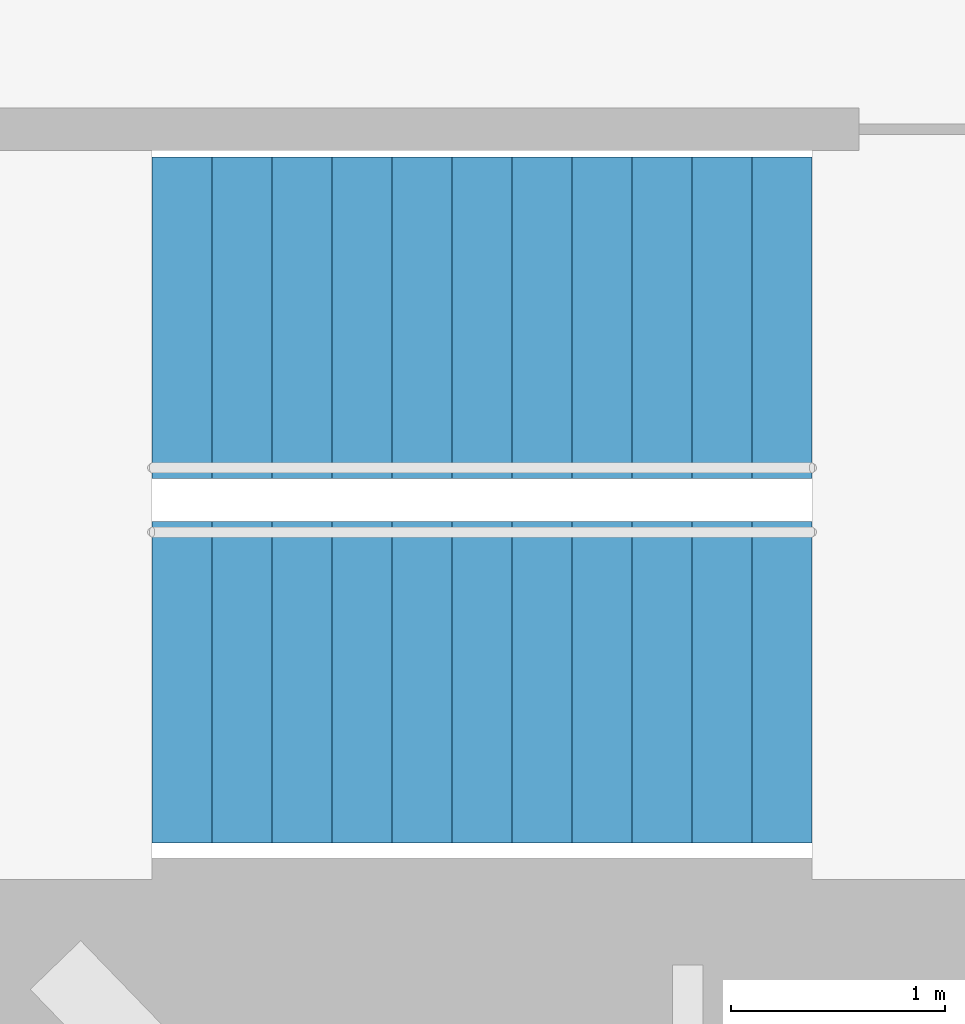
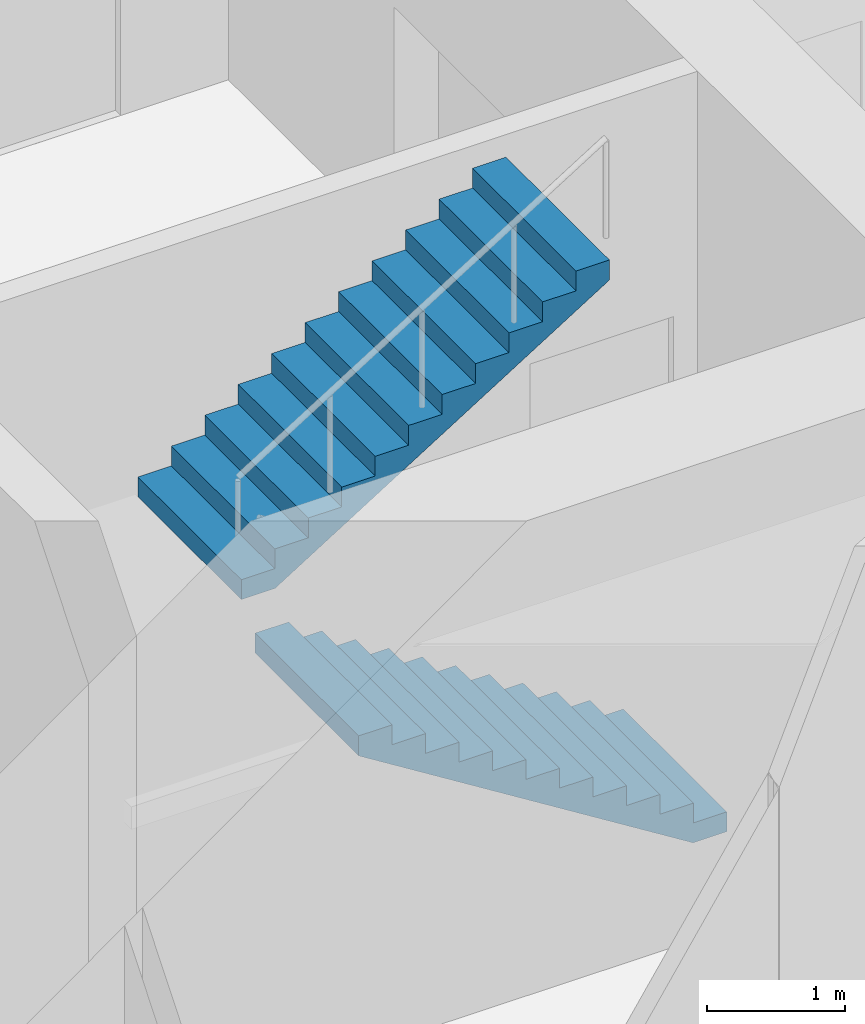
# One storey, part 18 of 19: 2 stair flights, 1 element without a shape of its own.
"""IFC4 building model written with IfcOpenShell, lengths in metres."""

from ifc_helpers import new_model, si_unit, direction, frame, origin, place, context, subcontext, project, spatial, triangles, material, type_object, element, aggregate, save


model = new_model("IFC4")

# Units and contexts
model_context = context("Model", 3, precision=1e-05, world=origin(), true_north=direction((0.0, 1.0)))
body_context = subcontext(model_context, "Body", "Model", "MODEL_VIEW")
ifc_project = project(units=[si_unit("LENGTHUNIT", "METRE"), si_unit("AREAUNIT", "SQUARE_METRE"), si_unit("VOLUMEUNIT", "CUBIC_METRE"), si_unit("PLANEANGLEUNIT", "RADIAN"), si_unit("MASSUNIT", "GRAM", prefix="KILO")], contexts=[model_context])

# Site, building, storey
site_placement = place(None, origin())
site = spatial("IfcSite", under=ifc_project, at=site_placement, CompositionType="ELEMENT")
building_placement = place(site_placement, origin())
building = spatial("IfcBuilding", under=site, at=building_placement, Name="Lantaw Convention Tower", CompositionType="ELEMENT")
storey_placement = place(building_placement, frame((0.0, 0.0, 245.199951171875)))
storey = spatial("IfcBuildingStorey", under=building, at=storey_placement, Name="L57", CompositionType="ELEMENT", Elevation=245.199951171875)

# Stair, stair flights
ifc_material = material(Name="Concrete C35/45", Category="concrete")
stair_type = type_object("IfcStairType", Name="Exit stair 1500 riser 175 in 2 flights", PredefinedType="HALF_TURN_STAIR", material=ifc_material)
stair_placement = place(storey_placement, origin())
stair = element("IfcStair", 1, at=stair_placement, inside=storey, type_object=stair_type, Name="Exit stair S2 L57", PredefinedType="HALF_TURN_STAIR")
stair_flight_type = type_object("IfcStairFlightType", Name="Stair flight 1500 riser 175", PredefinedType="STRAIGHT", material=ifc_material)
stair_flight_1_placement = place(storey_placement, frame((10.580078125, -5.97998046875, 0.0), z_axis=(0.0, 0.0, 1.0), x_axis=(-1.0, 0.0, 0.0)))
stair_flight_1 = element("IfcStairFlight", 2, at=stair_flight_1_placement, type_object=stair_flight_type, Name="S2 flight 1", NumberOfRisers=12, NumberOfTreads=11, PredefinedType="STRAIGHT", RiserHeight=0.175, TreadLength=0.28, context=body_context, shape_type="Tessellation", body=[
    triangles([(0.0, 0.75, 0.0), (0.0, 0.75, 0.175), (0.28, 0.75, 0.0), (0.28, 0.75, 0.175), (0.28, 0.75, 0.35), (0.28283517651771284, 0.75, 0.0), (0.28283517651771284, 0.75, 0.35), (0.56, 0.75, 0.17322801467642948), (0.56, 0.75, 0.35), (0.56, 0.75, 0.5249999999999999), (0.8400000000000001, 0.75, 0.34822801467642944), (0.8400000000000001, 0.75, 0.5249999999999999), (0.8400000000000001, 0.75, 0.7), (1.12, 0.75, 0.5232280146764294), (1.12, 0.75, 0.7), (1.12, 0.75, 0.875), (1.4000000000000001, 0.75, 0.6982280146764295), (1.4000000000000001, 0.75, 0.875), (1.4000000000000001, 0.75, 1.0499999999999998), (1.6800000000000002, 0.75, 0.8732280146764294), (1.6800000000000002, 0.75, 1.0499999999999998), (1.6800000000000002, 0.75, 1.2249999999999999), (1.9600000000000002, 0.75, 1.0482280146764293), (1.9600000000000002, 0.75, 1.2249999999999999), (1.9600000000000002, 0.75, 1.4), (2.24, 0.75, 1.2232280146764294), (2.24, 0.75, 1.4), (2.24, 0.75, 1.575), (2.5200000000000005, 0.75, 1.3982280146764294), (2.5200000000000005, 0.75, 1.575), (2.5200000000000005, 0.75, 1.75), (2.8000000000000003, 0.75, 1.5732280146764293), (2.8000000000000003, 0.75, 1.75), (2.8000000000000003, 0.75, 1.9249999999999998), (3.08, 0.75, 1.7482280146764293), (3.08, 0.75, 1.9249999999999998), (0.0, -0.75, 0.0), (0.0, -0.75, 0.175), (0.28, -0.75, 0.0), (0.28, -0.75, 0.175), (0.28, -0.75, 0.35), (0.28283517651771284, -0.75, 0.0), (0.28283517651771284, -0.75, 0.35), (0.56, -0.75, 0.17322801467642948), (0.56, -0.75, 0.35), (0.56, -0.75, 0.5249999999999999), (0.8400000000000001, -0.75, 0.34822801467642944), (0.8400000000000001, -0.75, 0.5249999999999999), (0.8400000000000001, -0.75, 0.7), (1.12, -0.75, 0.5232280146764294), (1.12, -0.75, 0.7), (1.12, -0.75, 0.875), (1.4000000000000001, -0.75, 0.6982280146764295), (1.4000000000000001, -0.75, 0.875), (1.4000000000000001, -0.75, 1.0499999999999998), (1.6800000000000002, -0.75, 0.8732280146764294), (1.6800000000000002, -0.75, 1.0499999999999998), (1.6800000000000002, -0.75, 1.2249999999999999), (1.9600000000000002, -0.75, 1.0482280146764293), (1.9600000000000002, -0.75, 1.2249999999999999), (1.9600000000000002, -0.75, 1.4), (2.24, -0.75, 1.2232280146764294), (2.24, -0.75, 1.4), (2.24, -0.75, 1.575), (2.5200000000000005, -0.75, 1.3982280146764294), (2.5200000000000005, -0.75, 1.575), (2.5200000000000005, -0.75, 1.75), (2.8000000000000003, -0.75, 1.5732280146764293), (2.8000000000000003, -0.75, 1.75), (2.8000000000000003, -0.75, 1.9249999999999998), (3.08, -0.75, 1.7482280146764293), (3.08, -0.75, 1.9249999999999998), (0.0, 0.15000000000000002, 0.175), (0.0, 0.15000000000000002, 0.0), (0.0, 0.0, 0.175), (0.0, 0.0, 0.0), (0.0, -0.15000000000000002, 0.175), (0.0, -0.15000000000000002, 0.0), (0.28, 0.15000000000000002, 0.35), (0.28, 0.15000000000000002, 0.175), (0.28, 0.0, 0.35), (0.28, 0.0, 0.175), (0.28, -0.15000000000000002, 0.35), (0.28, -0.15000000000000002, 0.175), (0.56, 0.15000000000000002, 0.5249999999999999), (0.56, 0.15000000000000002, 0.35), (0.56, 0.0, 0.5249999999999999), (0.56, 0.0, 0.35), (0.56, -0.15000000000000002, 0.5249999999999999), (0.56, -0.15000000000000002, 0.35), (0.8400000000000001, 0.15000000000000002, 0.7), (0.8400000000000001, 0.15000000000000002, 0.5249999999999999), (0.8400000000000001, 0.0, 0.7), (0.8400000000000001, 0.0, 0.5249999999999999), (0.8400000000000001, -0.15000000000000002, 0.7), (0.8400000000000001, -0.15000000000000002, 0.5249999999999999), (1.12, 0.15000000000000002, 0.875), (1.12, 0.15000000000000002, 0.7), (1.12, 0.0, 0.875), (1.12, 0.0, 0.7), (1.12, -0.15000000000000002, 0.875), (1.12, -0.15000000000000002, 0.7), (1.4000000000000001, 0.15000000000000002, 1.0499999999999998), (1.4000000000000001, 0.15000000000000002, 0.875), (1.4000000000000001, 0.0, 1.0499999999999998), (1.4000000000000001, 0.0, 0.875), (1.4000000000000001, -0.15000000000000002, 1.0499999999999998), (1.4000000000000001, -0.15000000000000002, 0.875), (1.6800000000000002, 0.15000000000000002, 1.2249999999999999), (1.6800000000000002, 0.15000000000000002, 1.0499999999999998), (1.6800000000000002, 0.0, 1.2249999999999999), (1.6800000000000002, 0.0, 1.0499999999999998), (1.6800000000000002, -0.15000000000000002, 1.2249999999999999), (1.6800000000000002, -0.15000000000000002, 1.0499999999999998), (1.9600000000000002, 0.15000000000000002, 1.4), (1.9600000000000002, 0.15000000000000002, 1.2249999999999999), (1.9600000000000002, 0.0, 1.4), (1.9600000000000002, 0.0, 1.2249999999999999), (1.9600000000000002, -0.15000000000000002, 1.4), (1.9600000000000002, -0.15000000000000002, 1.2249999999999999), (2.24, 0.15000000000000002, 1.575), (2.24, 0.15000000000000002, 1.4), (2.24, 0.0, 1.575), (2.24, 0.0, 1.4), (2.24, -0.15000000000000002, 1.575), (2.24, -0.15000000000000002, 1.4), (2.5200000000000005, 0.15000000000000002, 1.75), (2.5200000000000005, 0.15000000000000002, 1.575), (2.5200000000000005, 0.0, 1.75), (2.5200000000000005, 0.0, 1.575), (2.5200000000000005, -0.15000000000000002, 1.75), (2.5200000000000005, -0.15000000000000002, 1.575), (2.8000000000000003, 0.15000000000000002, 1.9249999999999998), (2.8000000000000003, 0.15000000000000002, 1.75), (2.8000000000000003, 0.0, 1.9249999999999998), (2.8000000000000003, 0.0, 1.75), (2.8000000000000003, -0.15000000000000002, 1.9249999999999998), (2.8000000000000003, -0.15000000000000002, 1.75), (0.28283517651771284, 0.15000000000000002, 0.35), (0.28283517651771284, 0.0, 0.35), (0.28283517651771284, -0.15000000000000002, 0.35), (3.08, 0.15000000000000002, 1.9249999999999998), (3.08, 0.0, 1.9249999999999998), (3.08, -0.15000000000000002, 1.9249999999999998), (3.08, 0.15000000000000002, 1.7482280146764293), (3.08, 0.0, 1.7482280146764293), (3.08, -0.15000000000000002, 1.7482280146764293), (2.8000000000000003, 0.15000000000000002, 1.5732280146764293), (2.8000000000000003, 0.0, 1.5732280146764293), (2.8000000000000003, -0.15000000000000002, 1.5732280146764293), (2.5200000000000005, 0.15000000000000002, 1.3982280146764294), (2.5200000000000005, 0.0, 1.3982280146764294), (2.5200000000000005, -0.15000000000000002, 1.3982280146764294), (2.24, 0.15000000000000002, 1.2232280146764294), (2.24, 0.0, 1.2232280146764294), (2.24, -0.15000000000000002, 1.2232280146764294), (1.9600000000000002, 0.15000000000000002, 1.0482280146764293), (1.9600000000000002, 0.0, 1.0482280146764293), (1.9600000000000002, -0.15000000000000002, 1.0482280146764293), (1.6800000000000002, 0.15000000000000002, 0.8732280146764294), (1.6800000000000002, 0.0, 0.8732280146764294), (1.6800000000000002, -0.15000000000000002, 0.8732280146764294), (1.4000000000000001, 0.15000000000000002, 0.6982280146764295), (1.4000000000000001, 0.0, 0.6982280146764295), (1.4000000000000001, -0.15000000000000002, 0.6982280146764295), (1.12, 0.15000000000000002, 0.5232280146764294), (1.12, 0.0, 0.5232280146764294), (1.12, -0.15000000000000002, 0.5232280146764294), (0.8400000000000001, 0.15000000000000002, 0.34822801467642944), (0.8400000000000001, 0.0, 0.34822801467642944), (0.8400000000000001, -0.15000000000000002, 0.34822801467642944), (0.56, 0.15000000000000002, 0.17322801467642948), (0.56, 0.0, 0.17322801467642948), (0.56, -0.15000000000000002, 0.17322801467642948), (0.28283517651771284, 0.15000000000000002, 0.0), (0.28283517651771284, 0.0, 0.0), (0.28283517651771284, -0.15000000000000002, 0.0), (0.28, 0.15000000000000002, 0.0), (0.28, 0.0, 0.0), (0.28, -0.15000000000000002, 0.0)], [[1, 4, 3], [1, 2, 4], [3, 4, 6], [4, 7, 6], [4, 5, 7], [6, 9, 8], [6, 7, 9], [8, 9, 11], [9, 12, 11], [9, 10, 12], [11, 12, 14], [12, 15, 14], [12, 13, 15], [14, 15, 17], [15, 18, 17], [15, 16, 18], [17, 18, 20], [18, 21, 20], [18, 19, 21], [20, 21, 23], [21, 24, 23], [21, 22, 24], [23, 24, 26], [24, 27, 26], [24, 25, 27], [26, 27, 29], [27, 30, 29], [27, 28, 30], [29, 30, 32], [30, 33, 32], [30, 31, 33], [32, 33, 35], [33, 36, 35], [33, 34, 36], [37, 39, 40], [37, 40, 38], [39, 42, 40], [40, 42, 43], [40, 43, 41], [42, 44, 45], [42, 45, 43], [44, 47, 45], [45, 47, 48], [45, 48, 46], [47, 50, 48], [48, 50, 51], [48, 51, 49], [50, 53, 51], [51, 53, 54], [51, 54, 52], [53, 56, 54], [54, 56, 57], [54, 57, 55], [56, 59, 57], [57, 59, 60], [57, 60, 58], [59, 62, 60], [60, 62, 63], [60, 63, 61], [62, 65, 63], [63, 65, 66], [63, 66, 64], [65, 68, 66], [66, 68, 69], [66, 69, 67], [68, 71, 69], [69, 71, 72], [69, 72, 70], [1, 73, 2], [1, 74, 73], [74, 75, 73], [74, 76, 75], [76, 77, 75], [76, 78, 77], [78, 38, 77], [78, 37, 38], [4, 79, 5], [4, 80, 79], [80, 81, 79], [80, 82, 81], [82, 83, 81], [82, 84, 83], [84, 41, 83], [84, 40, 41], [9, 85, 10], [9, 86, 85], [86, 87, 85], [86, 88, 87], [88, 89, 87], [88, 90, 89], [90, 46, 89], [90, 45, 46], [12, 91, 13], [12, 92, 91], [92, 93, 91], [92, 94, 93], [94, 95, 93], [94, 96, 95], [96, 49, 95], [96, 48, 49], [15, 97, 16], [15, 98, 97], [98, 99, 97], [98, 100, 99], [100, 101, 99], [100, 102, 101], [102, 52, 101], [102, 51, 52], [18, 103, 19], [18, 104, 103], [104, 105, 103], [104, 106, 105], [106, 107, 105], [106, 108, 107], [108, 55, 107], [108, 54, 55], [21, 109, 22], [21, 110, 109], [110, 111, 109], [110, 112, 111], [112, 113, 111], [112, 114, 113], [114, 58, 113], [114, 57, 58], [24, 115, 25], [24, 116, 115], [116, 117, 115], [116, 118, 117], [118, 119, 117], [118, 120, 119], [120, 61, 119], [120, 60, 61], [27, 121, 28], [27, 122, 121], [122, 123, 121], [122, 124, 123], [124, 125, 123], [124, 126, 125], [126, 64, 125], [126, 63, 64], [30, 127, 31], [30, 128, 127], [128, 129, 127], [128, 130, 129], [130, 131, 129], [130, 132, 131], [132, 67, 131], [132, 66, 67], [33, 133, 34], [33, 134, 133], [134, 135, 133], [134, 136, 135], [136, 137, 135], [136, 138, 137], [138, 70, 137], [138, 69, 70], [2, 80, 4], [2, 73, 80], [73, 82, 80], [73, 75, 82], [75, 84, 82], [75, 77, 84], [77, 40, 84], [77, 38, 40], [5, 139, 7], [5, 79, 139], [79, 140, 139], [79, 81, 140], [81, 141, 140], [81, 83, 141], [83, 43, 141], [83, 41, 43], [7, 86, 9], [7, 139, 86], [139, 88, 86], [139, 140, 88], [140, 90, 88], [140, 141, 90], [141, 45, 90], [141, 43, 45], [10, 92, 12], [10, 85, 92], [85, 94, 92], [85, 87, 94], [87, 96, 94], [87, 89, 96], [89, 48, 96], [89, 46, 48], [13, 98, 15], [13, 91, 98], [91, 100, 98], [91, 93, 100], [93, 102, 100], [93, 95, 102], [95, 51, 102], [95, 49, 51], [16, 104, 18], [16, 97, 104], [97, 106, 104], [97, 99, 106], [99, 108, 106], [99, 101, 108], [101, 54, 108], [101, 52, 54], [19, 110, 21], [19, 103, 110], [103, 112, 110], [103, 105, 112], [105, 114, 112], [105, 107, 114], [107, 57, 114], [107, 55, 57], [22, 116, 24], [22, 109, 116], [109, 118, 116], [109, 111, 118], [111, 120, 118], [111, 113, 120], [113, 60, 120], [113, 58, 60], [25, 122, 27], [25, 115, 122], [115, 124, 122], [115, 117, 124], [117, 126, 124], [117, 119, 126], [119, 63, 126], [119, 61, 63], [28, 128, 30], [28, 121, 128], [121, 130, 128], [121, 123, 130], [123, 132, 130], [123, 125, 132], [125, 66, 132], [125, 64, 66], [31, 134, 33], [31, 127, 134], [127, 136, 134], [127, 129, 136], [129, 138, 136], [129, 131, 138], [131, 69, 138], [131, 67, 69], [34, 142, 36], [34, 133, 142], [133, 143, 142], [133, 135, 143], [135, 144, 143], [135, 137, 144], [137, 72, 144], [137, 70, 72], [36, 145, 35], [36, 142, 145], [142, 146, 145], [142, 143, 146], [143, 147, 146], [143, 144, 147], [144, 71, 147], [144, 72, 71], [35, 148, 32], [35, 145, 148], [145, 149, 148], [145, 146, 149], [146, 150, 149], [146, 147, 150], [147, 68, 150], [147, 71, 68], [32, 151, 29], [32, 148, 151], [148, 152, 151], [148, 149, 152], [149, 153, 152], [149, 150, 153], [150, 65, 153], [150, 68, 65], [29, 154, 26], [29, 151, 154], [151, 155, 154], [151, 152, 155], [152, 156, 155], [152, 153, 156], [153, 62, 156], [153, 65, 62], [26, 157, 23], [26, 154, 157], [154, 158, 157], [154, 155, 158], [155, 159, 158], [155, 156, 159], [156, 59, 159], [156, 62, 59], [23, 160, 20], [23, 157, 160], [157, 161, 160], [157, 158, 161], [158, 162, 161], [158, 159, 162], [159, 56, 162], [159, 59, 56], [20, 163, 17], [20, 160, 163], [160, 164, 163], [160, 161, 164], [161, 165, 164], [161, 162, 165], [162, 53, 165], [162, 56, 53], [17, 166, 14], [17, 163, 166], [163, 167, 166], [163, 164, 167], [164, 168, 167], [164, 165, 168], [165, 50, 168], [165, 53, 50], [14, 169, 11], [14, 166, 169], [166, 170, 169], [166, 167, 170], [167, 171, 170], [167, 168, 171], [168, 47, 171], [168, 50, 47], [11, 172, 8], [11, 169, 172], [169, 173, 172], [169, 170, 173], [170, 174, 173], [170, 171, 174], [171, 44, 174], [171, 47, 44], [8, 175, 6], [8, 172, 175], [172, 176, 175], [172, 173, 176], [173, 177, 176], [173, 174, 177], [174, 42, 177], [174, 44, 42], [6, 178, 3], [6, 175, 178], [175, 179, 178], [175, 176, 179], [176, 180, 179], [176, 177, 180], [177, 39, 180], [177, 42, 39], [3, 74, 1], [3, 178, 74], [178, 76, 74], [178, 179, 76], [179, 78, 76], [179, 180, 78], [180, 37, 78], [180, 39, 37]], closed=True),
])
stair_flight_2_placement = place(storey_placement, frame((7.5, -4.280029296875, 2.10009765625), z_axis=(0.0, 0.0, 1.0), x_axis=(1.0, 0.0, 0.0)))
stair_flight_2 = element("IfcStairFlight", 3, at=stair_flight_2_placement, type_object=stair_flight_type, Name="S2 flight 2", NumberOfRisers=12, NumberOfTreads=11, PredefinedType="STRAIGHT", RiserHeight=0.175, TreadLength=0.28, context=body_context, shape_type="Tessellation", body=[
    triangles([(0.0, 0.75, 0.0), (0.0, 0.75, 0.175), (0.28, 0.75, 0.0), (0.28, 0.75, 0.175), (0.28, 0.75, 0.35), (0.28283517651771284, 0.75, 0.0), (0.28283517651771284, 0.75, 0.35), (0.56, 0.75, 0.17322801467642948), (0.56, 0.75, 0.35), (0.56, 0.75, 0.5249999999999999), (0.8400000000000001, 0.75, 0.34822801467642944), (0.8400000000000001, 0.75, 0.5249999999999999), (0.8400000000000001, 0.75, 0.7), (1.12, 0.75, 0.5232280146764294), (1.12, 0.75, 0.7), (1.12, 0.75, 0.875), (1.4000000000000001, 0.75, 0.6982280146764295), (1.4000000000000001, 0.75, 0.875), (1.4000000000000001, 0.75, 1.0499999999999998), (1.6800000000000002, 0.75, 0.8732280146764294), (1.6800000000000002, 0.75, 1.0499999999999998), (1.6800000000000002, 0.75, 1.2249999999999999), (1.9600000000000002, 0.75, 1.0482280146764293), (1.9600000000000002, 0.75, 1.2249999999999999), (1.9600000000000002, 0.75, 1.4), (2.24, 0.75, 1.2232280146764294), (2.24, 0.75, 1.4), (2.24, 0.75, 1.575), (2.5200000000000005, 0.75, 1.3982280146764294), (2.5200000000000005, 0.75, 1.575), (2.5200000000000005, 0.75, 1.75), (2.8000000000000003, 0.75, 1.5732280146764293), (2.8000000000000003, 0.75, 1.75), (2.8000000000000003, 0.75, 1.9249999999999998), (3.08, 0.75, 1.7482280146764293), (3.08, 0.75, 1.9249999999999998), (0.0, -0.75, 0.0), (0.0, -0.75, 0.175), (0.28, -0.75, 0.0), (0.28, -0.75, 0.175), (0.28, -0.75, 0.35), (0.28283517651771284, -0.75, 0.0), (0.28283517651771284, -0.75, 0.35), (0.56, -0.75, 0.17322801467642948), (0.56, -0.75, 0.35), (0.56, -0.75, 0.5249999999999999), (0.8400000000000001, -0.75, 0.34822801467642944), (0.8400000000000001, -0.75, 0.5249999999999999), (0.8400000000000001, -0.75, 0.7), (1.12, -0.75, 0.5232280146764294), (1.12, -0.75, 0.7), (1.12, -0.75, 0.875), (1.4000000000000001, -0.75, 0.6982280146764295), (1.4000000000000001, -0.75, 0.875), (1.4000000000000001, -0.75, 1.0499999999999998), (1.6800000000000002, -0.75, 0.8732280146764294), (1.6800000000000002, -0.75, 1.0499999999999998), (1.6800000000000002, -0.75, 1.2249999999999999), (1.9600000000000002, -0.75, 1.0482280146764293), (1.9600000000000002, -0.75, 1.2249999999999999), (1.9600000000000002, -0.75, 1.4), (2.24, -0.75, 1.2232280146764294), (2.24, -0.75, 1.4), (2.24, -0.75, 1.575), (2.5200000000000005, -0.75, 1.3982280146764294), (2.5200000000000005, -0.75, 1.575), (2.5200000000000005, -0.75, 1.75), (2.8000000000000003, -0.75, 1.5732280146764293), (2.8000000000000003, -0.75, 1.75), (2.8000000000000003, -0.75, 1.9249999999999998), (3.08, -0.75, 1.7482280146764293), (3.08, -0.75, 1.9249999999999998), (0.0, 0.15000000000000002, 0.175), (0.0, 0.15000000000000002, 0.0), (0.0, 0.0, 0.175), (0.0, 0.0, 0.0), (0.0, -0.15000000000000002, 0.175), (0.0, -0.15000000000000002, 0.0), (0.28, 0.15000000000000002, 0.35), (0.28, 0.15000000000000002, 0.175), (0.28, 0.0, 0.35), (0.28, 0.0, 0.175), (0.28, -0.15000000000000002, 0.35), (0.28, -0.15000000000000002, 0.175), (0.56, 0.15000000000000002, 0.5249999999999999), (0.56, 0.15000000000000002, 0.35), (0.56, 0.0, 0.5249999999999999), (0.56, 0.0, 0.35), (0.56, -0.15000000000000002, 0.5249999999999999), (0.56, -0.15000000000000002, 0.35), (0.8400000000000001, 0.15000000000000002, 0.7), (0.8400000000000001, 0.15000000000000002, 0.5249999999999999), (0.8400000000000001, 0.0, 0.7), (0.8400000000000001, 0.0, 0.5249999999999999), (0.8400000000000001, -0.15000000000000002, 0.7), (0.8400000000000001, -0.15000000000000002, 0.5249999999999999), (1.12, 0.15000000000000002, 0.875), (1.12, 0.15000000000000002, 0.7), (1.12, 0.0, 0.875), (1.12, 0.0, 0.7), (1.12, -0.15000000000000002, 0.875), (1.12, -0.15000000000000002, 0.7), (1.4000000000000001, 0.15000000000000002, 1.0499999999999998), (1.4000000000000001, 0.15000000000000002, 0.875), (1.4000000000000001, 0.0, 1.0499999999999998), (1.4000000000000001, 0.0, 0.875), (1.4000000000000001, -0.15000000000000002, 1.0499999999999998), (1.4000000000000001, -0.15000000000000002, 0.875), (1.6800000000000002, 0.15000000000000002, 1.2249999999999999), (1.6800000000000002, 0.15000000000000002, 1.0499999999999998), (1.6800000000000002, 0.0, 1.2249999999999999), (1.6800000000000002, 0.0, 1.0499999999999998), (1.6800000000000002, -0.15000000000000002, 1.2249999999999999), (1.6800000000000002, -0.15000000000000002, 1.0499999999999998), (1.9600000000000002, 0.15000000000000002, 1.4), (1.9600000000000002, 0.15000000000000002, 1.2249999999999999), (1.9600000000000002, 0.0, 1.4), (1.9600000000000002, 0.0, 1.2249999999999999), (1.9600000000000002, -0.15000000000000002, 1.4), (1.9600000000000002, -0.15000000000000002, 1.2249999999999999), (2.24, 0.15000000000000002, 1.575), (2.24, 0.15000000000000002, 1.4), (2.24, 0.0, 1.575), (2.24, 0.0, 1.4), (2.24, -0.15000000000000002, 1.575), (2.24, -0.15000000000000002, 1.4), (2.5200000000000005, 0.15000000000000002, 1.75), (2.5200000000000005, 0.15000000000000002, 1.575), (2.5200000000000005, 0.0, 1.75), (2.5200000000000005, 0.0, 1.575), (2.5200000000000005, -0.15000000000000002, 1.75), (2.5200000000000005, -0.15000000000000002, 1.575), (2.8000000000000003, 0.15000000000000002, 1.9249999999999998), (2.8000000000000003, 0.15000000000000002, 1.75), (2.8000000000000003, 0.0, 1.9249999999999998), (2.8000000000000003, 0.0, 1.75), (2.8000000000000003, -0.15000000000000002, 1.9249999999999998), (2.8000000000000003, -0.15000000000000002, 1.75), (0.28283517651771284, 0.15000000000000002, 0.35), (0.28283517651771284, 0.0, 0.35), (0.28283517651771284, -0.15000000000000002, 0.35), (3.08, 0.15000000000000002, 1.9249999999999998), (3.08, 0.0, 1.9249999999999998), (3.08, -0.15000000000000002, 1.9249999999999998), (3.08, 0.15000000000000002, 1.7482280146764293), (3.08, 0.0, 1.7482280146764293), (3.08, -0.15000000000000002, 1.7482280146764293), (2.8000000000000003, 0.15000000000000002, 1.5732280146764293), (2.8000000000000003, 0.0, 1.5732280146764293), (2.8000000000000003, -0.15000000000000002, 1.5732280146764293), (2.5200000000000005, 0.15000000000000002, 1.3982280146764294), (2.5200000000000005, 0.0, 1.3982280146764294), (2.5200000000000005, -0.15000000000000002, 1.3982280146764294), (2.24, 0.15000000000000002, 1.2232280146764294), (2.24, 0.0, 1.2232280146764294), (2.24, -0.15000000000000002, 1.2232280146764294), (1.9600000000000002, 0.15000000000000002, 1.0482280146764293), (1.9600000000000002, 0.0, 1.0482280146764293), (1.9600000000000002, -0.15000000000000002, 1.0482280146764293), (1.6800000000000002, 0.15000000000000002, 0.8732280146764294), (1.6800000000000002, 0.0, 0.8732280146764294), (1.6800000000000002, -0.15000000000000002, 0.8732280146764294), (1.4000000000000001, 0.15000000000000002, 0.6982280146764295), (1.4000000000000001, 0.0, 0.6982280146764295), (1.4000000000000001, -0.15000000000000002, 0.6982280146764295), (1.12, 0.15000000000000002, 0.5232280146764294), (1.12, 0.0, 0.5232280146764294), (1.12, -0.15000000000000002, 0.5232280146764294), (0.8400000000000001, 0.15000000000000002, 0.34822801467642944), (0.8400000000000001, 0.0, 0.34822801467642944), (0.8400000000000001, -0.15000000000000002, 0.34822801467642944), (0.56, 0.15000000000000002, 0.17322801467642948), (0.56, 0.0, 0.17322801467642948), (0.56, -0.15000000000000002, 0.17322801467642948), (0.28283517651771284, 0.15000000000000002, 0.0), (0.28283517651771284, 0.0, 0.0), (0.28283517651771284, -0.15000000000000002, 0.0), (0.28, 0.15000000000000002, 0.0), (0.28, 0.0, 0.0), (0.28, -0.15000000000000002, 0.0)], [[1, 4, 3], [1, 2, 4], [3, 4, 6], [4, 7, 6], [4, 5, 7], [6, 9, 8], [6, 7, 9], [8, 9, 11], [9, 12, 11], [9, 10, 12], [11, 12, 14], [12, 15, 14], [12, 13, 15], [14, 15, 17], [15, 18, 17], [15, 16, 18], [17, 18, 20], [18, 21, 20], [18, 19, 21], [20, 21, 23], [21, 24, 23], [21, 22, 24], [23, 24, 26], [24, 27, 26], [24, 25, 27], [26, 27, 29], [27, 30, 29], [27, 28, 30], [29, 30, 32], [30, 33, 32], [30, 31, 33], [32, 33, 35], [33, 36, 35], [33, 34, 36], [37, 39, 40], [37, 40, 38], [39, 42, 40], [40, 42, 43], [40, 43, 41], [42, 44, 45], [42, 45, 43], [44, 47, 45], [45, 47, 48], [45, 48, 46], [47, 50, 48], [48, 50, 51], [48, 51, 49], [50, 53, 51], [51, 53, 54], [51, 54, 52], [53, 56, 54], [54, 56, 57], [54, 57, 55], [56, 59, 57], [57, 59, 60], [57, 60, 58], [59, 62, 60], [60, 62, 63], [60, 63, 61], [62, 65, 63], [63, 65, 66], [63, 66, 64], [65, 68, 66], [66, 68, 69], [66, 69, 67], [68, 71, 69], [69, 71, 72], [69, 72, 70], [1, 73, 2], [1, 74, 73], [74, 75, 73], [74, 76, 75], [76, 77, 75], [76, 78, 77], [78, 38, 77], [78, 37, 38], [4, 79, 5], [4, 80, 79], [80, 81, 79], [80, 82, 81], [82, 83, 81], [82, 84, 83], [84, 41, 83], [84, 40, 41], [9, 85, 10], [9, 86, 85], [86, 87, 85], [86, 88, 87], [88, 89, 87], [88, 90, 89], [90, 46, 89], [90, 45, 46], [12, 91, 13], [12, 92, 91], [92, 93, 91], [92, 94, 93], [94, 95, 93], [94, 96, 95], [96, 49, 95], [96, 48, 49], [15, 97, 16], [15, 98, 97], [98, 99, 97], [98, 100, 99], [100, 101, 99], [100, 102, 101], [102, 52, 101], [102, 51, 52], [18, 103, 19], [18, 104, 103], [104, 105, 103], [104, 106, 105], [106, 107, 105], [106, 108, 107], [108, 55, 107], [108, 54, 55], [21, 109, 22], [21, 110, 109], [110, 111, 109], [110, 112, 111], [112, 113, 111], [112, 114, 113], [114, 58, 113], [114, 57, 58], [24, 115, 25], [24, 116, 115], [116, 117, 115], [116, 118, 117], [118, 119, 117], [118, 120, 119], [120, 61, 119], [120, 60, 61], [27, 121, 28], [27, 122, 121], [122, 123, 121], [122, 124, 123], [124, 125, 123], [124, 126, 125], [126, 64, 125], [126, 63, 64], [30, 127, 31], [30, 128, 127], [128, 129, 127], [128, 130, 129], [130, 131, 129], [130, 132, 131], [132, 67, 131], [132, 66, 67], [33, 133, 34], [33, 134, 133], [134, 135, 133], [134, 136, 135], [136, 137, 135], [136, 138, 137], [138, 70, 137], [138, 69, 70], [2, 80, 4], [2, 73, 80], [73, 82, 80], [73, 75, 82], [75, 84, 82], [75, 77, 84], [77, 40, 84], [77, 38, 40], [5, 139, 7], [5, 79, 139], [79, 140, 139], [79, 81, 140], [81, 141, 140], [81, 83, 141], [83, 43, 141], [83, 41, 43], [7, 86, 9], [7, 139, 86], [139, 88, 86], [139, 140, 88], [140, 90, 88], [140, 141, 90], [141, 45, 90], [141, 43, 45], [10, 92, 12], [10, 85, 92], [85, 94, 92], [85, 87, 94], [87, 96, 94], [87, 89, 96], [89, 48, 96], [89, 46, 48], [13, 98, 15], [13, 91, 98], [91, 100, 98], [91, 93, 100], [93, 102, 100], [93, 95, 102], [95, 51, 102], [95, 49, 51], [16, 104, 18], [16, 97, 104], [97, 106, 104], [97, 99, 106], [99, 108, 106], [99, 101, 108], [101, 54, 108], [101, 52, 54], [19, 110, 21], [19, 103, 110], [103, 112, 110], [103, 105, 112], [105, 114, 112], [105, 107, 114], [107, 57, 114], [107, 55, 57], [22, 116, 24], [22, 109, 116], [109, 118, 116], [109, 111, 118], [111, 120, 118], [111, 113, 120], [113, 60, 120], [113, 58, 60], [25, 122, 27], [25, 115, 122], [115, 124, 122], [115, 117, 124], [117, 126, 124], [117, 119, 126], [119, 63, 126], [119, 61, 63], [28, 128, 30], [28, 121, 128], [121, 130, 128], [121, 123, 130], [123, 132, 130], [123, 125, 132], [125, 66, 132], [125, 64, 66], [31, 134, 33], [31, 127, 134], [127, 136, 134], [127, 129, 136], [129, 138, 136], [129, 131, 138], [131, 69, 138], [131, 67, 69], [34, 142, 36], [34, 133, 142], [133, 143, 142], [133, 135, 143], [135, 144, 143], [135, 137, 144], [137, 72, 144], [137, 70, 72], [36, 145, 35], [36, 142, 145], [142, 146, 145], [142, 143, 146], [143, 147, 146], [143, 144, 147], [144, 71, 147], [144, 72, 71], [35, 148, 32], [35, 145, 148], [145, 149, 148], [145, 146, 149], [146, 150, 149], [146, 147, 150], [147, 68, 150], [147, 71, 68], [32, 151, 29], [32, 148, 151], [148, 152, 151], [148, 149, 152], [149, 153, 152], [149, 150, 153], [150, 65, 153], [150, 68, 65], [29, 154, 26], [29, 151, 154], [151, 155, 154], [151, 152, 155], [152, 156, 155], [152, 153, 156], [153, 62, 156], [153, 65, 62], [26, 157, 23], [26, 154, 157], [154, 158, 157], [154, 155, 158], [155, 159, 158], [155, 156, 159], [156, 59, 159], [156, 62, 59], [23, 160, 20], [23, 157, 160], [157, 161, 160], [157, 158, 161], [158, 162, 161], [158, 159, 162], [159, 56, 162], [159, 59, 56], [20, 163, 17], [20, 160, 163], [160, 164, 163], [160, 161, 164], [161, 165, 164], [161, 162, 165], [162, 53, 165], [162, 56, 53], [17, 166, 14], [17, 163, 166], [163, 167, 166], [163, 164, 167], [164, 168, 167], [164, 165, 168], [165, 50, 168], [165, 53, 50], [14, 169, 11], [14, 166, 169], [166, 170, 169], [166, 167, 170], [167, 171, 170], [167, 168, 171], [168, 47, 171], [168, 50, 47], [11, 172, 8], [11, 169, 172], [169, 173, 172], [169, 170, 173], [170, 174, 173], [170, 171, 174], [171, 44, 174], [171, 47, 44], [8, 175, 6], [8, 172, 175], [172, 176, 175], [172, 173, 176], [173, 177, 176], [173, 174, 177], [174, 42, 177], [174, 44, 42], [6, 178, 3], [6, 175, 178], [175, 179, 178], [175, 176, 179], [176, 180, 179], [176, 177, 180], [177, 39, 180], [177, 42, 39], [3, 74, 1], [3, 178, 74], [178, 76, 74], [178, 179, 76], [179, 78, 76], [179, 180, 78], [180, 37, 78], [180, 39, 37]], closed=True),
])
aggregate(stair, [stair_flight_1, stair_flight_2])

save(model, "model.ifc")
